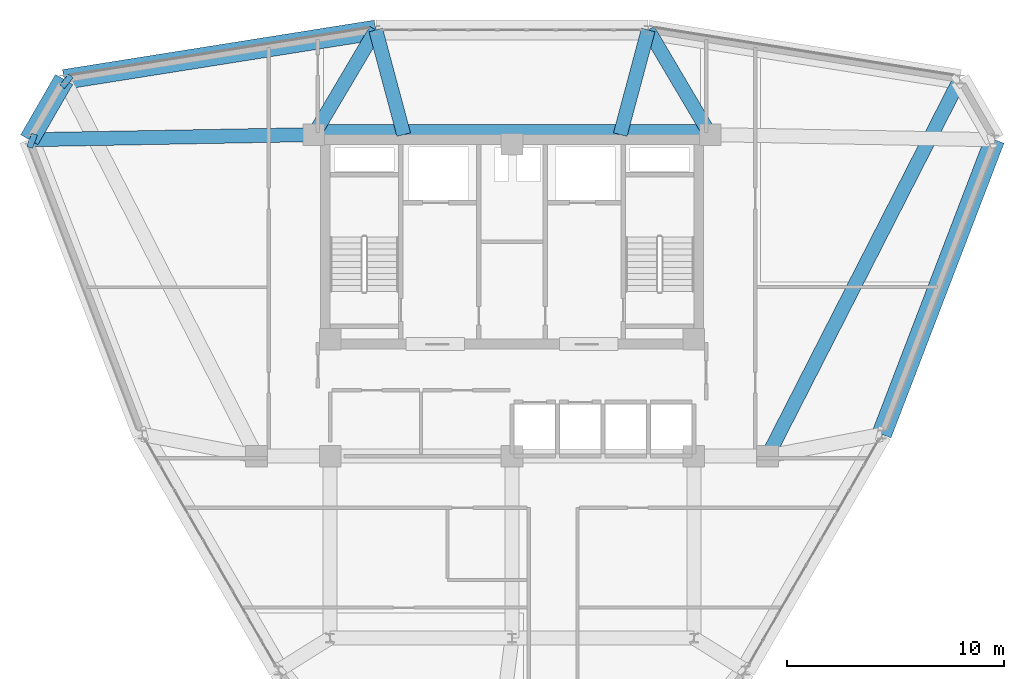
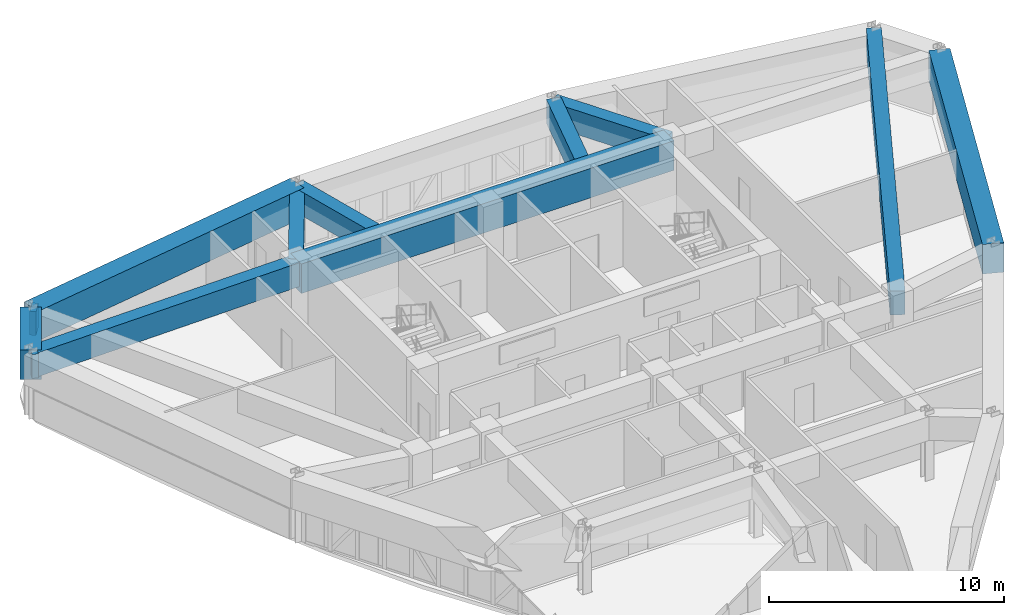
# One storey, part 7 of 14: 12 beams.
"""IFC4 building model written with IfcOpenShell, lengths in metres."""

from ifc_helpers import new_model, si_unit, derived_unit, direction, frame, origin, origin_2d, place, context, subcontext, project, spatial, rectangle, extrude, source, transform, mapped, material, material_profile, profile_set, type_object, element, save


model = new_model("IFC4")

# Units and contexts
model_context = context("Model", 3, precision=1e-05, world=origin(), true_north=direction((0.0, 1.0)))
body_context = subcontext(model_context, "Body", "Model", "MODEL_VIEW")
ifc_project = project(units=[si_unit("LENGTHUNIT", "METRE"), si_unit("AREAUNIT", "SQUARE_METRE"), si_unit("VOLUMEUNIT", "CUBIC_METRE"), si_unit("PLANEANGLEUNIT", "RADIAN"), si_unit("MASSUNIT", "GRAM", prefix="KILO"), derived_unit("THERMALTRANSMITTANCEUNIT", [(si_unit("POWERUNIT", "WATT"), 1), (si_unit("LENGTHUNIT", "METRE"), -2), (si_unit("THERMODYNAMICTEMPERATUREUNIT", "KELVIN"), -1)])], contexts=[model_context])

# Site, building, storey
site_placement = place(None, origin())
site = spatial("IfcSite", under=ifc_project, at=site_placement, CompositionType="ELEMENT")
building_placement = place(site_placement, origin())
building = spatial("IfcBuilding", under=site, at=building_placement, Name="Korsvarv Bourse and Concert Hall", CompositionType="ELEMENT")
storey_placement = place(building_placement, frame((0.0, 0.0, 186.60009765625)))
storey = spatial("IfcBuildingStorey", under=building, at=storey_placement, Name="L48", CompositionType="ELEMENT", Elevation=186.60009765625)

# Beams
ifc_material = material(Name="Concrete C50/60", Category="concrete")
ifc_material_profile_1 = material_profile(ifc_material, rectangle(XDim=0.919921875, YDim=1.530029296875, at=origin_2d()), Name="RC-BM 920x1530")
ifc_profile_set_1 = profile_set([ifc_material_profile_1], Name="Concrete C50/60")
beam_type_1 = type_object("IfcBeamType", Name="BM-TR-154", PredefinedType="BEAM", material=ifc_profile_set_1)
shared_shape_1 = source(origin(), body_context, "Body", "SweptSolid", [
    extrude(rectangle(XDim=0.919921875, YDim=1.530029296875, at=origin_2d()), origin(), (0.0, 0.0, 1.0), 18.2998046875),
])
beam_1_placement = place(storey_placement, frame((26.85009765625, 47.25, 2.635009765625), z_axis=(1.0, 0.0, 0.0), x_axis=(0.0, 1.0, 0.0)))
element("IfcBeam", 1, at=beam_1_placement, inside=storey, type_object=beam_type_1, Name="L48 beam B-TR6", PredefinedType="BEAM", context=body_context, shape_type="MappedRepresentation", body=[
    mapped(shared_shape_1, transform((0.0, 0.0, 0.0), scale=1.0)),
])
shared_shape_2 = source(origin(), body_context, "Body", "SweptSolid", [
    extrude(rectangle(XDim=0.919921875, YDim=1.530029296875, at=origin_2d()), origin(), (0.0, 0.0, 1.0), 3.21533203125),
])
beam_2_placement = place(storey_placement, frame((15.3173828125, 49.797607421875, 2.635009765625), z_axis=(-0.49998535512, -0.866033858845, 0.0), x_axis=(0.866033858845, -0.49998535512, 0.0)))
element("IfcBeam", 2, at=beam_2_placement, inside=storey, type_object=beam_type_1, Name="L48 beam B-TR6", PredefinedType="BEAM", context=body_context, shape_type="MappedRepresentation", body=[
    mapped(shared_shape_2, transform((0.0, 0.0, 0.0), scale=1.0)),
])
shared_shape_3 = source(origin(), body_context, "Body", "SweptSolid", [
    extrude(rectangle(XDim=0.919921875, YDim=1.530029296875, at=origin_2d()), origin(), (0.0, 0.0, 1.0), 14.573486328125),
])
for number, where, z_axis, x_axis, name in (
    (3, (29.710693359375, 52.082275390625, 2.635009765625), (-0.987635363781, -0.156768581702, 0.0), (0.156768581702, -0.987635363781, 0.0), "L48 beam B-TR6"),
    (4, (53.072509765625, 33.405517578125, 2.635009765625), (0.358031436139, 0.933709532315, 0.0), (-0.933709532315, 0.358031436139, 0.0), "L48 beam B-TR6"),
):
    element("IfcBeam", number, at=place(storey_placement, frame(where, z_axis=z_axis, x_axis=x_axis)), inside=storey, type_object=beam_type_1, Name=name, PredefinedType="BEAM", context=body_context, shape_type="MappedRepresentation", body=[
        mapped(shared_shape_3, transform((0.0, 0.0, 0.0), scale=1.0)),
    ])
ifc_material_profile_2 = material_profile(ifc_material, rectangle(XDim=0.64990234375, YDim=1.239990234375, at=origin_2d()), Name="RC-BM 650x1240")
ifc_profile_set_2 = profile_set([ifc_material_profile_2], Name="Concrete C50/60")
beam_type_2 = type_object("IfcBeamType", Name="BM-TR-SPN", PredefinedType="BEAM", material=ifc_profile_set_2)
shared_shape_4 = source(origin(), body_context, "Body", "SweptSolid", [
    extrude(rectangle(XDim=0.64990234375, YDim=1.239990234375, at=origin_2d()), origin(), (0.0, 0.0, 1.0), 13.142578125),
])
beam_3_placement = place(storey_placement, frame((13.709716796875, 47.012939453125, 2.77978515625), z_axis=(0.999837307824, 0.01803767954, 0.0), x_axis=(-0.01803767954, 0.999837307824, 0.0)))
element("IfcBeam", 5, at=beam_3_placement, inside=storey, type_object=beam_type_2, Name="L48 beam B-TRS", PredefinedType="BEAM", context=body_context, shape_type="MappedRepresentation", body=[
    mapped(shared_shape_4, transform((0.0, 0.0, 0.0), scale=1.0)),
])
shared_shape_5 = source(origin(), body_context, "Body", "SweptSolid", [
    extrude(rectangle(XDim=0.64990234375, YDim=1.239990234375, at=origin_2d()), origin(), (0.0, 0.0, 1.0), 19.5341796875),
])
beam_4_placement = place(storey_placement, frame((56.6826171875, 49.797607421875, 2.77978515625), z_axis=(-0.454721683444, -0.890633589421, 0.0), x_axis=(0.890633589421, -0.454721683444, 0.0)))
element("IfcBeam", 6, at=beam_4_placement, inside=storey, type_object=beam_type_2, Name="L48 beam B-TRS", PredefinedType="BEAM", context=body_context, shape_type="MappedRepresentation", body=[
    mapped(shared_shape_5, transform((0.0, 0.0, 0.0), scale=1.0)),
])
shared_shape_6 = source(origin(), body_context, "Body", "SweptSolid", [
    extrude(rectangle(XDim=0.64990234375, YDim=1.239990234375, at=origin_2d()), origin(), (0.0, 0.0, 1.0), 5.615478515625),
])
for number, where, z_axis, x_axis, name in (
    (7, (42.289306640625, 52.082275390625, 2.77978515625), (0.509410257358, -0.860523787991, 0.0), (0.860523787991, 0.509410257358, 0.0), "L48 beam B-TRS"),
    (8, (29.710693359375, 52.082275390625, 2.77978515625), (-0.509410257358, -0.860523787991, 0.0), (0.860523787991, -0.509410257358, 0.0), "L48 beam B-TRS"),
):
    element("IfcBeam", number, at=place(storey_placement, frame(where, z_axis=z_axis, x_axis=x_axis)), inside=storey, type_object=beam_type_2, Name=name, PredefinedType="BEAM", context=body_context, shape_type="MappedRepresentation", body=[
        mapped(shared_shape_6, transform((0.0, 0.0, 0.0), scale=1.0)),
    ])
shared_shape_7 = source(origin(), body_context, "Body", "SweptSolid", [
    extrude(rectangle(XDim=0.64990234375, YDim=1.239990234375, at=origin_2d()), origin(), (0.0, 0.0, 1.0), 0.27880859375),
])
for number, where, z_axis, x_axis, name in (
    (9, (15.3173828125, 49.797607421875, 2.77978515625), (0.778385435502, -0.627786678577, 0.0), (0.627786678577, 0.778385435502, 0.0), "L48 beam B-TRS"),
    (10, (13.709716796875, 47.012939453125, 2.77978515625), (0.932644158407, -0.36079755236, 0.0), (0.36079755236, 0.932644158407, 0.0), "L48 beam B-TRS"),
):
    element("IfcBeam", number, at=place(storey_placement, frame(where, z_axis=z_axis, x_axis=x_axis)), inside=storey, type_object=beam_type_2, Name=name, PredefinedType="BEAM", context=body_context, shape_type="MappedRepresentation", body=[
        mapped(shared_shape_7, transform((0.0, 0.0, 0.0), scale=1.0)),
    ])
shared_shape_8 = source(origin(), body_context, "Body", "SweptSolid", [
    extrude(rectangle(XDim=0.64990234375, YDim=1.239990234375, at=origin_2d()), origin(), (0.0, 0.0, 1.0), 5.00146484375),
])
for number, where, z_axis, x_axis, name in (
    (11, (42.289306640625, 52.082275390625, 2.77978515625), (-0.257930000392, -0.966163606693, 0.0), (0.966163606693, -0.257930000392, 0.0), "L48 beam B-TRS"),
    (12, (29.710693359375, 52.082275390625, 2.77978515625), (0.257930000392, -0.966163606693, 0.0), (0.966163606693, 0.257930000392, 0.0), "L48 beam B-TRS"),
):
    element("IfcBeam", number, at=place(storey_placement, frame(where, z_axis=z_axis, x_axis=x_axis)), inside=storey, type_object=beam_type_2, Name=name, PredefinedType="BEAM", context=body_context, shape_type="MappedRepresentation", body=[
        mapped(shared_shape_8, transform((0.0, 0.0, 0.0), scale=1.0)),
    ])

save(model, "model.ifc")
